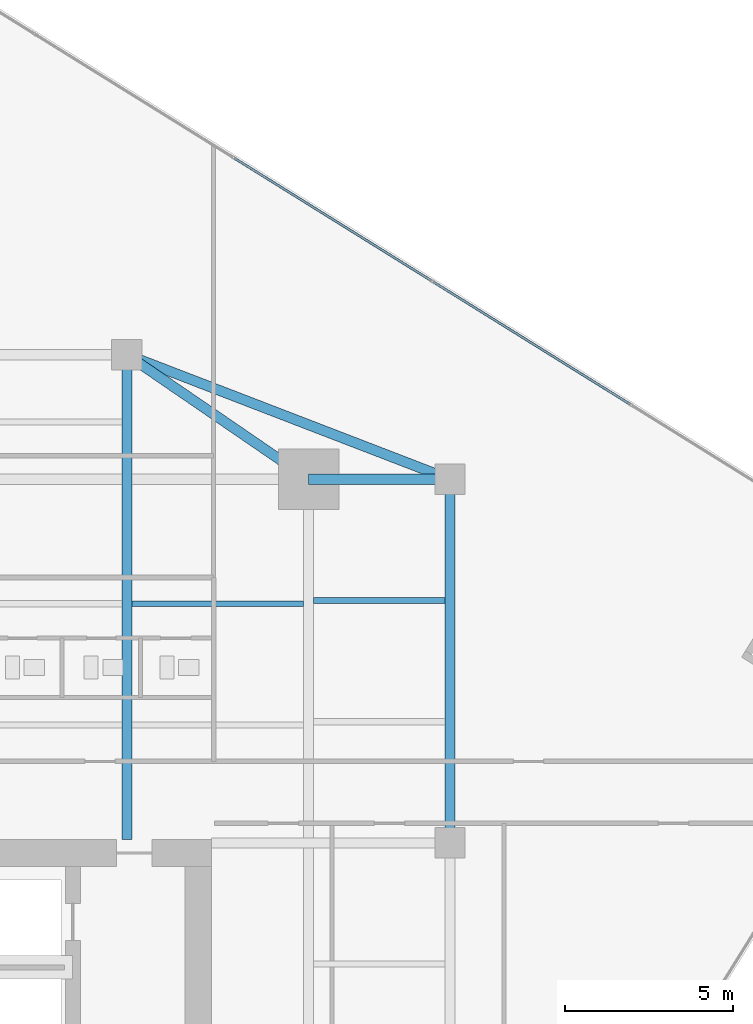
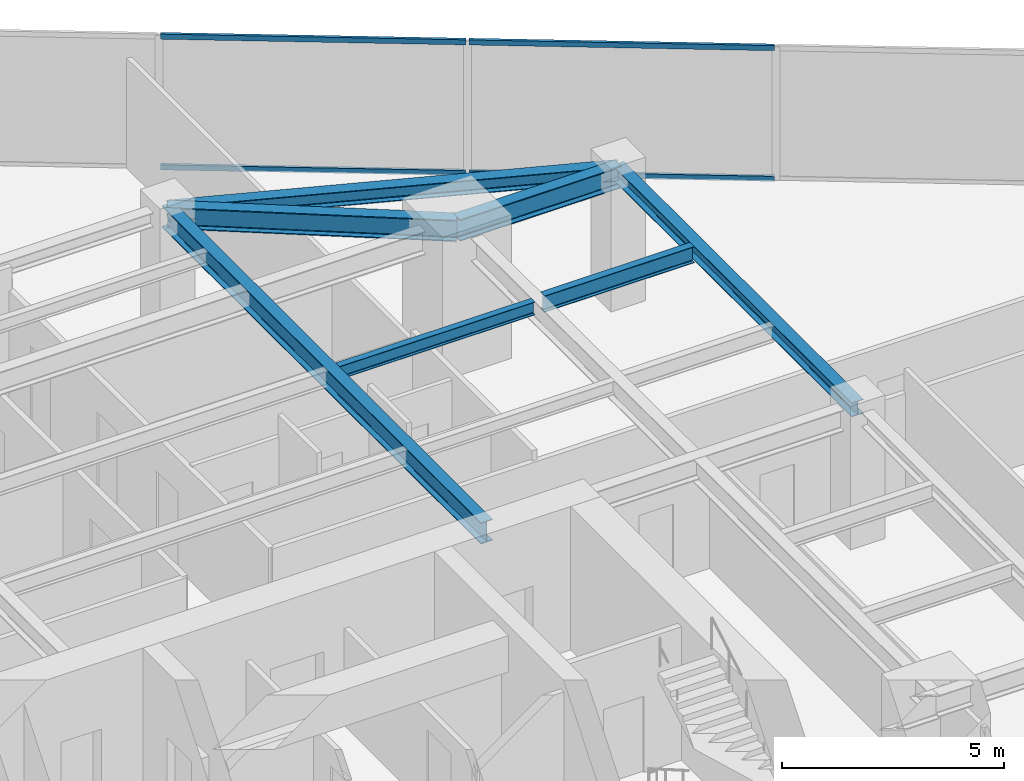
# One storey, part 17 of 25: 7 beams, 4 members, 1 element without a shape of its own.
"""IFC4 building model written with IfcOpenShell, lengths in metres."""

from ifc_helpers import new_model, si_unit, direction, frame, origin, origin_2d, place, context, subcontext, project, spatial, hollow_rectangle, i_section, extrude, source, transform, mapped, material, material_profile, profile_set, type_object, type_shapes, element, aggregate, save


model = new_model("IFC4")

# Units and contexts
model_context = context("Model", 3, precision=1e-05, world=origin(), true_north=direction((0.0, 1.0)))
body_context = subcontext(model_context, "Body", "Model", "MODEL_VIEW")
ifc_project = project(units=[si_unit("LENGTHUNIT", "METRE"), si_unit("AREAUNIT", "SQUARE_METRE"), si_unit("VOLUMEUNIT", "CUBIC_METRE"), si_unit("PLANEANGLEUNIT", "RADIAN"), si_unit("MASSUNIT", "GRAM", prefix="KILO")], contexts=[model_context])

# Site, building, storey
site_placement = place(None, origin())
site = spatial("IfcSite", under=ifc_project, at=site_placement, CompositionType="ELEMENT")
building_placement = place(site_placement, origin())
building = spatial("IfcBuilding", under=site, at=building_placement, Name="Krantzveldt Concourse Tower", CompositionType="ELEMENT")
storey_placement = place(building_placement, frame((0.0, 0.0, 177.800048828125)))
storey = spatial("IfcBuildingStorey", under=building, at=storey_placement, Name="L43", CompositionType="ELEMENT", Elevation=177.800048828125)

# Beams
ifc_material_1 = material(Name="Steel S355JR", Category="steel")
ifc_material_profile_1 = material_profile(ifc_material_1, i_section(OverallWidth=0.300048828125, OverallDepth=0.590087890625, WebThickness=0.012939453125, FlangeThickness=0.02490234375, FilletRadius=0.027099609375, at=origin_2d()), Name="Steel S355JR", Category="steel")
ifc_profile_set_1 = profile_set([ifc_material_profile_1], Name="Steel S355JR - HEA 600")
beam_type_1 = type_object("IfcBeamType", Name="BM-B-HEA600", PredefinedType="BEAM", material=ifc_profile_set_1)
shared_shape_1 = source(origin(), body_context, "Body", "SweptSolid", [
    extrude(i_section(OverallWidth=0.300048828125, OverallDepth=0.590087890625, WebThickness=0.012939453125, FlangeThickness=0.02490234375, FilletRadius=0.027099609375, at=origin_2d()), origin(), (0.0, 0.0, 1.0), 14.39990234375),
])
beam_1_placement = place(storey_placement, frame((41.39990234375, 26.800048828125, 3.375), z_axis=(0.0, 1.0, 0.0), x_axis=(-1.0, 0.0, 0.0)))
element("IfcBeam", 1, at=beam_1_placement, inside=storey, type_object=beam_type_1, Name="L43 Tower Girder BG-CNE", PredefinedType="BEAM", context=body_context, shape_type="MappedRepresentation", body=[
    mapped(shared_shape_1, transform((0.0, 0.0, 0.0), x_axis=(1.0, 0.0, 0.0), y_axis=(0.0, 1.0, 0.0), z_axis=(0.0, 0.0, 1.0), scale=1.0)),
])
shared_shape_2 = source(origin(), body_context, "Body", "SweptSolid", [
    extrude(i_section(OverallWidth=0.300048828125, OverallDepth=0.590087890625, WebThickness=0.012939453125, FlangeThickness=0.02490234375, FilletRadius=0.027099609375, at=origin_2d()), origin(), (0.0, 0.0, 1.0), 4.199951171875),
])
beam_2_placement = place(storey_placement, frame((46.800048828125, 37.5, 3.375), z_axis=(1.0, 0.0, 0.0), x_axis=(0.0, 1.0, 0.0)))
element("IfcBeam", 2, at=beam_2_placement, inside=storey, type_object=beam_type_1, Name="L43 Tower Girder BR-RR3", PredefinedType="BEAM", context=body_context, shape_type="MappedRepresentation", body=[
    mapped(shared_shape_2, transform((0.0, 0.0, 0.0), x_axis=(1.0, 0.0, 0.0), y_axis=(0.0, 1.0, 0.0), z_axis=(0.0, 0.0, 1.0), scale=1.0)),
])
shared_shape_3 = source(origin(), body_context, "Body", "SweptSolid", [
    extrude(i_section(OverallWidth=0.300048828125, OverallDepth=0.590087890625, WebThickness=0.012939453125, FlangeThickness=0.02490234375, FilletRadius=0.027099609375, at=origin_2d()), origin(), (0.0, 0.0, 1.0), 6.546142578125),
])
type_shapes(beam_type_1, [shared_shape_1, shared_shape_2, shared_shape_3])
beam_3_placement = place(storey_placement, frame((46.800048828125, 37.5, 3.375), z_axis=(-0.824942999484, 0.565215930068, 0.0), x_axis=(-0.565215930068, -0.824942999484, 0.0)))
element("IfcBeam", 3, at=beam_3_placement, inside=storey, type_object=beam_type_1, Name="L43 Tower Girder BR-RR4", PredefinedType="BEAM", context=body_context, shape_type="MappedRepresentation", body=[
    mapped(shared_shape_3, transform((0.0, 0.0, 0.0), x_axis=(1.0, 0.0, 0.0), y_axis=(0.0, 1.0, 0.0), z_axis=(0.0, 0.0, 1.0), scale=1.0)),
])
ifc_material_profile_2 = material_profile(ifc_material_1, i_section(OverallWidth=0.300048828125, OverallDepth=0.389892578125, WebThickness=0.010986328125, FlangeThickness=0.01904296875, FilletRadius=0.027099609375, at=origin_2d()), Name="Steel S355JR", Category="steel")
ifc_profile_set_2 = profile_set([ifc_material_profile_2], Name="Steel S355JR - HEA 400")
beam_type_2 = type_object("IfcBeamType", Name="BM-SP-HEA400", PredefinedType="SPANDREL", material=ifc_profile_set_2)
shared_shape_4 = source(origin(), body_context, "Body", "SweptSolid", [
    extrude(i_section(OverallWidth=0.300048828125, OverallDepth=0.389892578125, WebThickness=0.010986328125, FlangeThickness=0.01904296875, FilletRadius=0.027099609375, at=origin_2d()), origin(), (0.0, 0.0, 1.0), 10.800048828125),
])
beam_4_placement = place(storey_placement, frame((51.0, 37.5, 3.474853515625), z_axis=(0.0, -1.0, 0.0), x_axis=(1.0, 0.0, 0.0)))
element("IfcBeam", 4, at=beam_4_placement, inside=storey, type_object=beam_type_2, Name="L43 Tower Girder SP-R06", PredefinedType="SPANDREL", context=body_context, shape_type="MappedRepresentation", body=[
    mapped(shared_shape_4, transform((0.0, 0.0, 0.0), x_axis=(1.0, 0.0, 0.0), y_axis=(0.0, 1.0, 0.0), z_axis=(0.0, 0.0, 1.0), scale=1.0)),
])
shared_shape_5 = source(origin(), body_context, "Body", "SweptSolid", [
    extrude(i_section(OverallWidth=0.300048828125, OverallDepth=0.389892578125, WebThickness=0.010986328125, FlangeThickness=0.01904296875, FilletRadius=0.027099609375, at=origin_2d()), origin(), (0.0, 0.0, 1.0), 10.288330078125),
])
type_shapes(beam_type_2, [shared_shape_4, shared_shape_5])
beam_5_placement = place(storey_placement, frame((41.39990234375, 41.199951171875, 3.474853515625), z_axis=(0.933097690408, -0.359622997257, 0.0), x_axis=(0.359622997257, 0.933097690408, 0.0)))
element("IfcBeam", 5, at=beam_5_placement, inside=storey, type_object=beam_type_2, Name="L43 Tower Girder SP-R05", PredefinedType="SPANDREL", context=body_context, shape_type="MappedRepresentation", body=[
    mapped(shared_shape_5, transform((0.0, 0.0, 0.0), x_axis=(1.0, 0.0, 0.0), y_axis=(0.0, 1.0, 0.0), z_axis=(0.0, 0.0, 1.0), scale=1.0)),
])
ifc_material_profile_3 = material_profile(ifc_material_1, i_section(OverallWidth=0.169921875, OverallDepth=0.360107421875, WebThickness=0.008056640625, FlangeThickness=0.0126953125, FilletRadius=0.01806640625, at=origin_2d()), Name="Steel S355JR", Category="steel")
ifc_profile_set_3 = profile_set([ifc_material_profile_3], Name="Steel S355JR - IPE 360")
beam_type_3 = type_object("IfcBeamType", Name="BM-J-IPE360", PredefinedType="JOIST", material=ifc_profile_set_3)
shared_shape_6 = source(origin(), body_context, "Body", "SweptSolid", [
    extrude(i_section(OverallWidth=0.169921875, OverallDepth=0.360107421875, WebThickness=0.008056640625, FlangeThickness=0.0126953125, FilletRadius=0.01806640625, at=origin_2d()), origin(), (0.0, 0.0, 1.0), 5.099853515625),
])
type_shapes(beam_type_3, [shared_shape_6])
beam_6_placement = place(storey_placement, frame((41.550048828125, 33.800048828125, 3.489990234375), z_axis=(1.0, 0.0, 0.0), x_axis=(0.0, 1.0, 0.0)))
element("IfcBeam", 6, at=beam_6_placement, inside=storey, type_object=beam_type_3, Name="L43 Secondary Floor Joist JN-E2", PredefinedType="JOIST", context=body_context, shape_type="MappedRepresentation", body=[
    mapped(shared_shape_6, transform((0.0, 0.0, 0.0), x_axis=(1.0, 0.0, 0.0), y_axis=(0.0, 1.0, 0.0), z_axis=(0.0, 0.0, 1.0), scale=1.0)),
])
ifc_material_profile_4 = material_profile(ifc_material_1, i_section(OverallWidth=0.18994140625, OverallDepth=0.449951171875, WebThickness=0.009521484375, FlangeThickness=0.0146484375, FilletRadius=0.02099609375, at=origin_2d()), Name="Steel S355JR", Category="steel")
ifc_profile_set_4 = profile_set([ifc_material_profile_4], Name="Steel S355JR - IPE 450")
beam_type_4 = type_object("IfcBeamType", Name="BM-J-IPE450", PredefinedType="JOIST", material=ifc_profile_set_4)
shared_shape_7 = source(origin(), body_context, "Body", "SweptSolid", [
    extrude(i_section(OverallWidth=0.18994140625, OverallDepth=0.449951171875, WebThickness=0.009521484375, FlangeThickness=0.0146484375, FilletRadius=0.02099609375, at=origin_2d()), origin(), (0.0, 0.0, 1.0), 3.900146484375),
])
type_shapes(beam_type_4, [shared_shape_7])
beam_7_placement = place(storey_placement, frame((46.949951171875, 33.89990234375, 3.445068359375), z_axis=(1.0, 0.0, 0.0), x_axis=(0.0, 1.0, 0.0)))
element("IfcBeam", 7, at=beam_7_placement, inside=storey, type_object=beam_type_4, Name="L43 Secondary Floor Joist JE-4", PredefinedType="JOIST", context=body_context, shape_type="MappedRepresentation", body=[
    mapped(shared_shape_7, transform((0.0, 0.0, 0.0), x_axis=(1.0, 0.0, 0.0), y_axis=(0.0, 1.0, 0.0), z_axis=(0.0, 0.0, 1.0), scale=1.0)),
])

# Curtain wall, members
ifc_material_2 = material(Name="Anodised aluminium 6063-T6", Category="aluminium")
curtain_wall_type = type_object("IfcCurtainWallType", Name="CW3", PredefinedType="USERDEFINED", material=ifc_material_2)
curtain_wall_placement = place(storey_placement, origin())
curtain_wall = element("IfcCurtainWall", 8, at=curtain_wall_placement, inside=storey, type_object=curtain_wall_type, Name="CW-L43-F10", ObjectType="UNITISED CURTAIN WALL", PredefinedType="USERDEFINED")
ifc_material_profile_5 = material_profile(ifc_material_2, hollow_rectangle(XDim=0.070068359375, YDim=0.139892578125, WallThickness=0.0048828125, at=origin_2d()), Name="Anodised aluminium 6063-T6", Category="aluminium")
ifc_profile_set_5 = profile_set([ifc_material_profile_5], Name="Anodised aluminium 6063-T6 - ALU-TRAN 140x70x5")
member_type = type_object("IfcMemberType", Name="CW-TRN-150", PredefinedType="USERDEFINED", material=ifc_profile_set_5)
shared_shape_8 = source(origin(), body_context, "Body", "SweptSolid", [
    extrude(hollow_rectangle(XDim=0.070068359375, YDim=0.139892578125, WallThickness=0.0048828125, at=origin_2d()), origin(), (0.0, 0.0, 1.0), 6.89013671875),
])
member_1_placement = place(storey_placement, frame((50.442626953125, 43.40185546875, 0.034912109375), z_axis=(-0.849202443437, 0.528067429464, 0.0), x_axis=(-0.528067429464, -0.849202443437, 0.0)))
member_1 = element("IfcMember", 9, at=member_1_placement, type_object=member_type, Name="CW-Z34 transom 3.1", ObjectType="TRANSOM", PredefinedType="USERDEFINED", context=body_context, shape_type="MappedRepresentation", body=[
    mapped(shared_shape_8, transform((0.0, 0.0, 0.0), x_axis=(1.0, 0.0, 0.0), y_axis=(0.0, 1.0, 0.0), z_axis=(0.0, 0.0, 1.0), scale=1.0)),
])
member_2_placement = place(storey_placement, frame((50.442626953125, 43.40185546875, 3.635009765625), z_axis=(-0.849202443437, 0.528067429464, 0.0), x_axis=(-0.528067429464, -0.849202443437, 0.0)))
member_2 = element("IfcMember", 10, at=member_2_placement, type_object=member_type, Name="CW-Z34 transom 3.2", ObjectType="TRANSOM", PredefinedType="USERDEFINED", context=body_context, shape_type="MappedRepresentation", body=[
    mapped(shared_shape_8, transform((0.0, 0.0, 0.0), x_axis=(1.0, 0.0, 0.0), y_axis=(0.0, 1.0, 0.0), z_axis=(0.0, 0.0, 1.0), scale=1.0)),
])
shared_shape_9 = source(origin(), body_context, "Body", "SweptSolid", [
    extrude(hollow_rectangle(XDim=0.070068359375, YDim=0.139892578125, WallThickness=0.0048828125, at=origin_2d()), origin(), (0.0, 0.0, 1.0), 6.889892578125),
])
type_shapes(member_type, [shared_shape_8, shared_shape_9])
member_3_placement = place(storey_placement, frame((56.35302734375, 39.7265625, 0.034912109375), z_axis=(-0.849192562138, 0.528083319572, 0.0), x_axis=(-0.528083319572, -0.849192562138, 0.0)))
member_3 = element("IfcMember", 11, at=member_3_placement, type_object=member_type, Name="CW-Z34 transom 2.1", ObjectType="TRANSOM", PredefinedType="USERDEFINED", context=body_context, shape_type="MappedRepresentation", body=[
    mapped(shared_shape_9, transform((0.0, 0.0, 0.0), x_axis=(1.0, 0.0, 0.0), y_axis=(0.0, 1.0, 0.0), z_axis=(0.0, 0.0, 1.0), scale=1.0)),
])
member_4_placement = place(storey_placement, frame((56.35302734375, 39.7265625, 3.635009765625), z_axis=(-0.849192562138, 0.528083319572, 0.0), x_axis=(-0.528083319572, -0.849192562138, 0.0)))
member_4 = element("IfcMember", 12, at=member_4_placement, type_object=member_type, Name="CW-Z34 transom 2.2", ObjectType="TRANSOM", PredefinedType="USERDEFINED", context=body_context, shape_type="MappedRepresentation", body=[
    mapped(shared_shape_9, transform((0.0, 0.0, 0.0), x_axis=(1.0, 0.0, 0.0), y_axis=(0.0, 1.0, 0.0), z_axis=(0.0, 0.0, 1.0), scale=1.0)),
])
aggregate(curtain_wall, [member_3, member_4, member_1, member_2])

save(model, "model.ifc")
